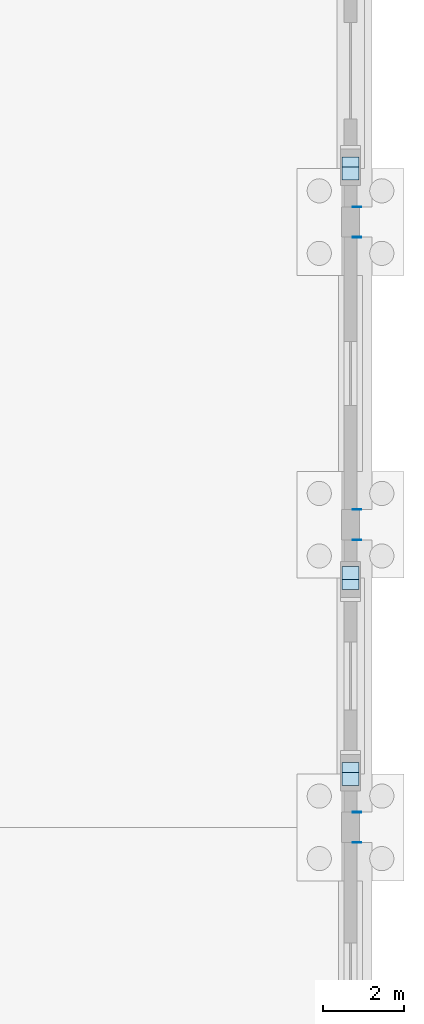
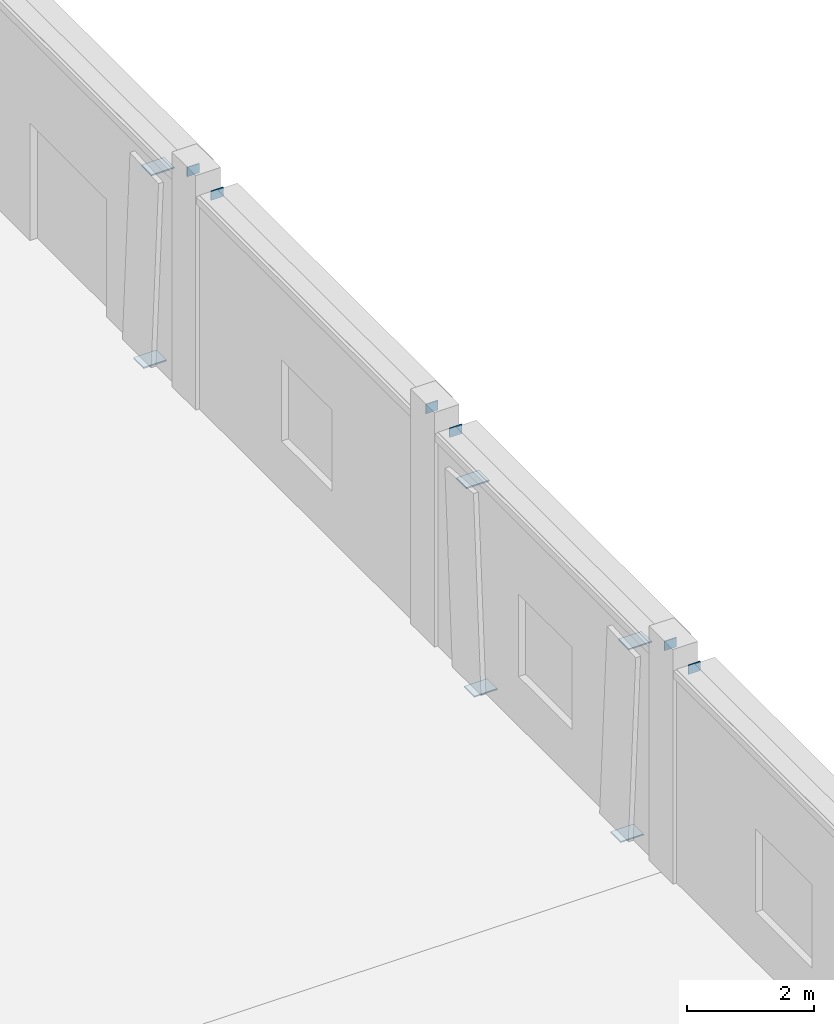
# One storey, part 76 of 93: 12 plates.
"""IFC4 building model written with IfcOpenShell, lengths in metres."""

from ifc_helpers import new_model, si_unit, direction, frame, origin, origin_2d, place, context, subcontext, project, spatial, rectangle, extrude, material, layer, layer_set, type_object, element, save


model = new_model("IFC4")

# Units and contexts
model_context = context("Model", 3, precision=1e-05, world=origin(), true_north=direction((0.0, 1.0)))
body_context = subcontext(model_context, "Body", "Model", "MODEL_VIEW")
ifc_project = project(units=[si_unit("LENGTHUNIT", "METRE"), si_unit("AREAUNIT", "SQUARE_METRE"), si_unit("VOLUMEUNIT", "CUBIC_METRE"), si_unit("PLANEANGLEUNIT", "RADIAN"), si_unit("MASSUNIT", "GRAM", prefix="KILO")], contexts=[model_context])

# Site, building, storey
site_placement = place(None, origin())
site = spatial("IfcSite", under=ifc_project, at=site_placement, CompositionType="ELEMENT")
building_placement = place(site_placement, origin())
building = spatial("IfcBuilding", under=site, at=building_placement, Name="Marnridge Secondary College", CompositionType="ELEMENT")
storey_placement = place(building_placement, origin())
storey = spatial("IfcBuildingStorey", under=building, at=storey_placement, Name="L00", CompositionType="ELEMENT", Elevation=0.0)

# Plates
ifc_material = material(Name="Structural steel plate Grade 350 (AS/NZS 3678, fy = 350 MPa <=12mm, 340 MPa 12-20mm, 330 MPa 20-50mm)", Category="steel")
ifc_layer = layer(ifc_material, 0.02392578125)
ifc_layer_set = layer_set([ifc_layer], Name="PT-GUS-GSN2")
plate_type = type_object("IfcPlateType", Name="PT-GUS-GSN2", PredefinedType="USERDEFINED", material=ifc_layer_set)
for number, where, z_axis, x_axis, name in (
    (1, (171.0, 98.949951171875, -0.221923828125), (0.0, 0.0, 1.0), (1.0, 0.0, 0.0), "Pilaster bearing plate CP-0641-BP1"),
    (2, (171.0, 98.699951171875, 3.6259765625), (0.0, 0.0, 1.0), (1.0, 0.0, 0.0), "Pilaster bearing plate CP-0641-BP2"),
    (3, (171.0, 103.550048828125, -0.221923828125), (0.0, 0.0, 1.0), (1.0, 0.0, 0.0), "Pilaster bearing plate CP-0642-BP1"),
    (4, (171.0, 103.800048828125, 3.6259765625), (0.0, 0.0, 1.0), (1.0, 0.0, 0.0), "Pilaster bearing plate CP-0642-BP2"),
    (5, (171.0, 113.949951171875, -0.221923828125), (0.0, 0.0, 1.0), (1.0, 0.0, 0.0), "Pilaster bearing plate CP-0643-BP1"),
    (6, (171.0, 113.699951171875, 3.6259765625), (0.0, 0.0, 1.0), (1.0, 0.0, 0.0), "Pilaster bearing plate CP-0643-BP2"),
):
    element("IfcPlate", number, at=place(storey_placement, frame(where, z_axis=z_axis, x_axis=x_axis)), inside=storey, type_object=plate_type, Name=name, ObjectType="GUSSET PLATE", PredefinedType="USERDEFINED", context=body_context, shape_type="SweptSolid", body=[
        extrude(rectangle(XDim=0.419921875, YDim=0.320068359375, at=origin_2d()), origin(), (0.0, 0.0, 1.0), 0.02392578125),
    ])
for number, where, z_axis, x_axis, name in (
    (7, (171.159912109375, 112.875, 3.93017578125), (0.0, 0.0, 1.0), (1.0, 0.0, 0.0), "Solar fin end bracket plate SFN-0004-BP2"),
    (8, (171.159912109375, 112.125, 3.93017578125), (0.0, 0.0, 1.0), (1.0, 0.0, 0.0), "Solar fin end bracket plate SFN-0005-BP1"),
    (9, (171.159912109375, 105.375, 3.93017578125), (0.0, 0.0, 1.0), (1.0, 0.0, 0.0), "Solar fin end bracket plate SFN-0005-BP2"),
    (10, (171.159912109375, 104.625, 3.93017578125), (0.0, 0.0, 1.0), (1.0, 0.0, 0.0), "Solar fin end bracket plate SFN-0006-BP1"),
    (11, (171.159912109375, 97.875, 3.93017578125), (0.0, 0.0, 1.0), (1.0, 0.0, 0.0), "Solar fin end bracket plate SFN-0006-BP2"),
    (12, (171.159912109375, 97.125, 3.93017578125), (0.0, 0.0, 1.0), (1.0, 0.0, 0.0), "Solar fin end bracket plate SFN-0007-BP1"),
):
    element("IfcPlate", number, at=place(storey_placement, frame(where, z_axis=z_axis, x_axis=x_axis)), inside=storey, type_object=plate_type, Name=name, ObjectType="GUSSET PLATE", PredefinedType="USERDEFINED", context=body_context, shape_type="SweptSolid", body=[
        extrude(rectangle(XDim=0.219970703125, YDim=0.01806640625, at=origin_2d()), origin(), (0.0, 0.0, 1.0), 0.179931640625),
    ])

save(model, "model.ifc")
